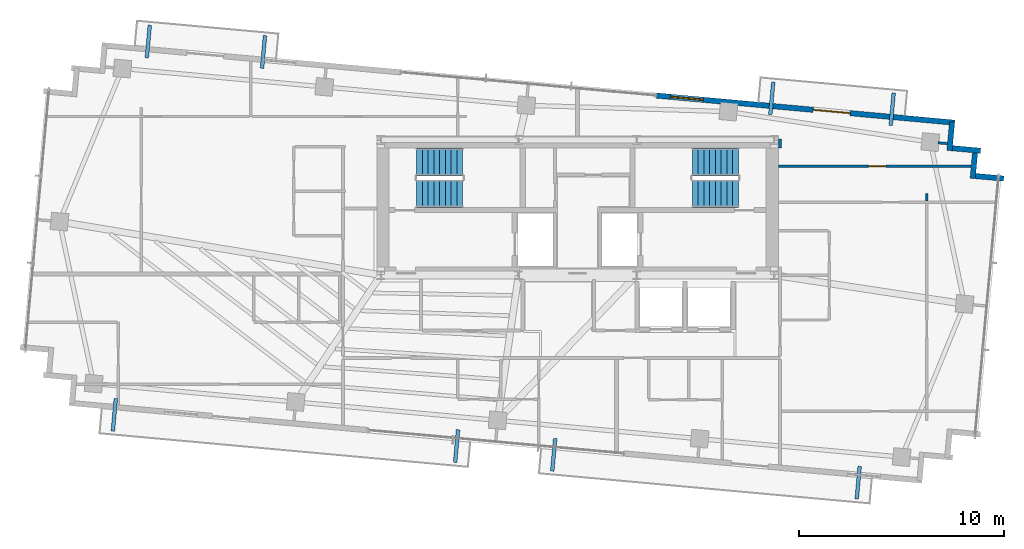
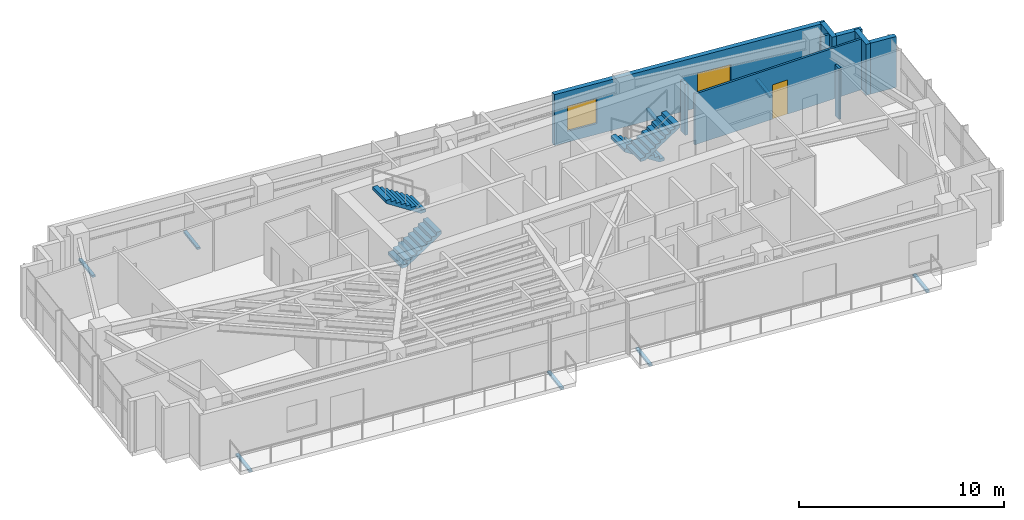
# One storey, part 19 of 22: 9 walls, 8 discrete accessories, 4 stair flights, 2 doors, 1 window, 3 openings, 2 elements without a shape of their own.
"""IFC4 building model written with IfcOpenShell, lengths in metres."""

from ifc_helpers import new_model, si_unit, direction, frame, frame_2d, origin, origin_2d, place, context, subcontext, project, spatial, polyline, rectangle, outline, extrude, source, transform, mapped, material, layer, layer_set, type_object, type_shapes, element, fill, aggregate, save


model = new_model("IFC4")

# Units and contexts
model_context = context("Model", 3, precision=1e-05, world=origin(), true_north=direction((0.0, 1.0)))
body_context = subcontext(model_context, "Body", "Model", "MODEL_VIEW")
ifc_project = project(units=[si_unit("LENGTHUNIT", "METRE"), si_unit("AREAUNIT", "SQUARE_METRE"), si_unit("VOLUMEUNIT", "CUBIC_METRE"), si_unit("PLANEANGLEUNIT", "RADIAN"), si_unit("MASSUNIT", "GRAM", prefix="KILO")], contexts=[model_context])

# Site, building, storey
site_placement = place(None, origin())
site = spatial("IfcSite", under=ifc_project, at=site_placement, CompositionType="ELEMENT")
building_placement = place(site_placement, origin())
building = spatial("IfcBuilding", under=site, at=building_placement, Name="Astriad Promenade Condominiums", CompositionType="ELEMENT")
storey_placement = place(building_placement, frame((0.0, 0.0, 226.5)))
storey = spatial("IfcBuildingStorey", under=building, at=storey_placement, Name="L65", CompositionType="ELEMENT", Elevation=226.5)

# Wall
ifc_material_1 = material(Name="Fire-Rated Gypsum Partition")
ifc_layer_1 = layer(ifc_material_1, 0.159912109375)
ifc_layer_set_1 = layer_set([ifc_layer_1], Name="Fire-Rated Gypsum Partition")
wall_type_1 = type_object("IfcWallType", Name="WALL-CORR-160", PredefinedType="PARTITIONING", material=ifc_layer_set_1)
wall_1_placement = place(storey_placement, frame((45.8798828125, 23.597900390625, 0.0), z_axis=(0.0, 0.0, 1.0), x_axis=(0.0, 1.0, 0.0)))
element("IfcWall", 1, at=wall_1_placement, inside=storey, type_object=wall_type_1, Name="PT-COR-E-L65-S3", PredefinedType="PARTITIONING", context=body_context, shape_type="SweptSolid", body=[
    extrude(rectangle(XDim=0.4521484375, YDim=0.159912109375, at=frame_2d((0.22607421875, 0.0))), origin(), (0.0, 0.0, 1.0), 3.0400390625),
])

# Wall, openings, door, window
ifc_material_2 = material(Name="Precast concrete C50/60", Category="concrete")
ifc_layer_2 = layer(ifc_material_2, 0.260009765625)
ifc_layer_set_2 = layer_set([ifc_layer_2], Name="Precast concrete C50/60")
wall_type_2 = type_object("IfcWallType", Name="WALL-EXT-TWR-260", PredefinedType="STANDARD", material=ifc_layer_set_2)
wall_2_placement = place(storey_placement, frame((39.839111328125, 26.16552734375, 0.0), z_axis=(0.0, 0.0, 1.0), x_axis=(0.995884447498, -0.090632043071, 0.0)))
wall_2 = element("IfcWall", 2, at=wall_2_placement, inside=storey, type_object=wall_type_2, Name="W-EXT-L65-N2", PredefinedType="STANDARD", context=body_context, shape_type="SweptSolid", body=[
    extrude(rectangle(XDim=14.6298828125, YDim=0.260009765625, at=frame_2d((7.31494140625, 0.0))), origin(), (0.0, 0.0, 1.0), 3.0400390625),
])
opening_1_placement = place(wall_2_placement, frame((7.699951171875, 0.0, 0.0)))
opening_1 = element("IfcOpeningElement", 3, at=opening_1_placement, cuts=wall_2, Name="Opening BD-1822-SLD", PredefinedType="OPENING", context=body_context, shape_type="SweptSolid", body=[
    extrude(rectangle(XDim=1.800048828125, YDim=2.06005859375, at=frame_2d((0.89990234375, 1.030029296875))), frame((0.0, 0.139892578125, 0.0), z_axis=(0.0, -1.0, 0.0), x_axis=(1.0, 0.0, 0.0)), (0.0, 0.0, 1.0), 0.280029296875),
])
opening_2_placement = place(wall_2_placement, frame((0.699951171875, 0.0, 0.64990234375)))
opening_2 = element("IfcOpeningElement", 4, at=opening_2_placement, cuts=wall_2, Name="Opening WIN-TWR-1620", PredefinedType="OPENING", context=body_context, shape_type="SweptSolid", body=[
    extrude(rectangle(XDim=1.60009765625, YDim=1.5, at=frame_2d((0.800048828125, 0.75))), frame((0.0, 0.139892578125, 0.0), z_axis=(0.0, -1.0, 0.0), x_axis=(1.0, 0.0, 0.0)), (0.0, 0.0, 1.0), 0.280029296875),
])
ifc_material_3 = material(Name="Thermally Broken Aluminium Sliding Balcony Door", Category="aluminium")
door_type_1 = type_object("IfcDoorType", Name="BD-1822-SLD", OperationType="NOTDEFINED", PredefinedType="DOOR", material=ifc_material_3)
shared_shape_1 = source(origin(), body_context, "Body", "SweptSolid", [
    extrude(rectangle(XDim=1.800048828125, YDim=2.06005859375, at=frame_2d((0.89990234375, 1.030029296875))), frame((0.0, 0.02490234375, 0.0), z_axis=(0.0, -1.0, 0.0), x_axis=(1.0, 0.0, 0.0)), (0.0, 0.0, 1.0), 0.050048828125),
])
type_shapes(door_type_1, [shared_shape_1])
door_1_placement = place(opening_1_placement, origin())
door_1 = element("IfcDoor", 5, at=door_1_placement, inside=storey, type_object=door_type_1, Name="BD-L65-NE", OperationType="SLIDING_TO_RIGHT", OverallHeight=2.06005859375, OverallWidth=1.800048828125, PredefinedType="DOOR", context=body_context, shape_type="MappedRepresentation", body=[
    mapped(shared_shape_1, transform((0.0, 0.0, 0.0), scale=1.0)),
])
fill(opening_1, door_1)
ifc_material_4 = material(Name="Dark Tinted Triple-Glazed Aluminium Window", Category="aluminium")
window_type = type_object("IfcWindowType", Name="WIN-TWR-1620", PartitioningType="SINGLE_PANEL", PredefinedType="WINDOW", material=ifc_material_4)
shared_shape_2 = source(origin(), body_context, "Body", "SweptSolid", [
    extrude(rectangle(XDim=1.60009765625, YDim=1.5, at=frame_2d((0.800048828125, 0.75))), frame((0.0, 0.030029296875, 0.0), z_axis=(0.0, -1.0, 0.0), x_axis=(1.0, 0.0, 0.0)), (0.0, 0.0, 1.0), 0.06005859375),
])
type_shapes(window_type, [shared_shape_2])
window_placement = place(opening_2_placement, origin())
window = element("IfcWindow", 6, at=window_placement, inside=storey, type_object=window_type, Name="WIN-L65-NE", OverallHeight=1.5, OverallWidth=1.60009765625, PartitioningType="SINGLE_PANEL", PredefinedType="WINDOW", context=body_context, shape_type="MappedRepresentation", body=[
    mapped(shared_shape_2, transform((0.0, 0.0, 0.0), scale=1.0)),
])
fill(opening_2, window)

# Walls
wall_3_placement = place(storey_placement, frame((54.28076171875, 24.866455078125, 0.0), z_axis=(0.0, 0.0, 1.0), x_axis=(-0.090661991521, -0.995881721538, 0.0)))
element("IfcWall", 7, at=wall_3_placement, inside=storey, type_object=wall_type_2, Name="W-SER-L65-09", PredefinedType="STANDARD", context=body_context, shape_type="SweptSolid", body=[
    extrude(rectangle(XDim=1.39501953125, YDim=0.260009765625, at=frame_2d((0.697509765625, 0.0))), origin(), (0.0, 0.0, 1.0), 3.0400390625),
])
for number, where, z_axis, x_axis, name in (
    (8, (54.280517578125, 23.59619140625, 0.0), (0.0, 0.0, 1.0), (0.995883159782, -0.090646191665, 0.0), "W-SER-L65-10"),
    (9, (55.412353515625, 23.50830078125, 0.0), (0.0, 0.0, 1.0), (-0.090646191665, -0.995883159782, 0.0), "W-SER-L65-11"),
    (10, (55.412109375, 22.238037109375, 0.0), (0.0, 0.0, 1.0), (0.995883159782, -0.090646191665, 0.0), "W-SER-L65-12"),
):
    element("IfcWall", number, at=place(storey_placement, frame(where, z_axis=z_axis, x_axis=x_axis)), inside=storey, type_object=wall_type_2, Name=name, PredefinedType="STANDARD", context=body_context, shape_type="SweptSolid", body=[
        extrude(rectangle(XDim=1.395263671875, YDim=0.260009765625, at=frame_2d((0.69775390625, 0.0))), origin(), (0.0, 0.0, 1.0), 3.0400390625),
    ])

# Wall, opening, door
ifc_material_5 = material(Name="Acoustic Metal-Stud Gypsum Partition")
ifc_layer_3 = layer(ifc_material_5, 0.1201171875)
ifc_layer_set_3 = layer_set([ifc_layer_3], Name="Acoustic Metal-Stud Gypsum Partition")
wall_type_3 = type_object("IfcWallType", Name="WALL-PART-120", PredefinedType="PARTITIONING", material=ifc_layer_set_3)
wall_4_placement = place(storey_placement, frame((45.802001953125, 22.717041015625, 0.0), z_axis=(0.0, 0.0, 1.0), x_axis=(1.0, 0.0, 0.0)))
wall_4 = element("IfcWall", 11, at=wall_4_placement, inside=storey, type_object=wall_type_3, Name="PT-L65-E1-WDN1", PredefinedType="PARTITIONING", context=body_context, shape_type="SweptSolid", body=[
    extrude(rectangle(XDim=9.40576171875, YDim=0.1201171875, at=frame_2d((4.702880859375, 0.0))), origin(), (0.0, 0.0, 1.0), 3.0400390625),
])
opening_3_placement = place(wall_4_placement, frame((4.39697265625, 0.0, 0.0)))
opening_3 = element("IfcOpeningElement", 12, at=opening_3_placement, cuts=wall_4, Name="Opening D-INT-085", PredefinedType="OPENING", context=body_context, shape_type="SweptSolid", body=[
    extrude(rectangle(XDim=0.85009765625, YDim=2.050048828125, at=frame_2d((0.425048828125, 1.02490234375))), frame((0.0, 0.070068359375, 0.0), z_axis=(0.0, -1.0, 0.0), x_axis=(1.0, 0.0, 0.0)), (0.0, 0.0, 1.0), 0.14013671875),
])
ifc_material_6 = material(Name="Painted Solid-Core Timber Room Door", Category="wood")
door_type_2 = type_object("IfcDoorType", Name="D-INT-085", OperationType="NOTDEFINED", PredefinedType="DOOR", material=ifc_material_6)
shared_shape_3 = source(origin(), body_context, "Body", "SweptSolid", [
    extrude(rectangle(XDim=0.85009765625, YDim=2.050048828125, at=frame_2d((0.425048828125, 1.02490234375))), frame((0.0, 0.02490234375, 0.0), z_axis=(0.0, -1.0, 0.0), x_axis=(1.0, 0.0, 0.0)), (0.0, 0.0, 1.0), 0.050048828125),
])
type_shapes(door_type_2, [shared_shape_3])
door_2_placement = place(opening_3_placement, origin())
door_2 = element("IfcDoor", 13, at=door_2_placement, inside=storey, type_object=door_type_2, Name="D-WDN1-L65-E1", OperationType="SINGLE_SWING_RIGHT", OverallHeight=2.050048828125, OverallWidth=0.85009765625, PredefinedType="DOOR", context=body_context, shape_type="MappedRepresentation", body=[
    mapped(shared_shape_3, transform((0.0, 0.0, 0.0), scale=1.0)),
])
fill(opening_3, door_2)

# Walls
wall_5_placement = place(storey_placement, frame((53.047119140625, 21.01611328125, 0.0), z_axis=(0.0, 0.0, 1.0), x_axis=(0.0, 1.0, 0.0)))
element("IfcWall", 14, at=wall_5_placement, inside=storey, type_object=wall_type_3, Name="PT-L65-E1-WDV4-S3", PredefinedType="PARTITIONING", context=body_context, shape_type="SweptSolid", body=[
    extrude(rectangle(XDim=0.3779296875, YDim=0.1201171875, at=frame_2d((0.18896484375, 0.0))), origin(), (0.0, 0.0, 1.0), 3.0400390625),
])
wall_6_placement = place(storey_placement, frame((53.5966796875, 23.859375, 0.0), z_axis=(0.0, 0.0, 1.0), x_axis=(0.995884462012, -0.090631883588, 0.0)))
element("IfcWall", 15, at=wall_6_placement, inside=storey, type_object=wall_type_3, Name="PT-PIL-L65-PC10-17", PredefinedType="PARTITIONING", context=body_context, shape_type="SweptSolid", body=[
    extrude(rectangle(XDim=0.4580078125, YDim=0.1201171875, at=frame_2d((0.22900390625, 0.0))), origin(), (0.0, 0.0, 1.0), 3.0400390625),
])

# Stair, stair flights
ifc_material_7 = material(Name="Concrete C50/60", Category="concrete")
stair_type = type_object("IfcStairType", Name="STR-CORE-1350", PredefinedType="HALF_TURN_STAIR", material=ifc_material_7)
stair_1_placement = place(storey_placement, origin())
stair_1 = element("IfcStair", 16, at=stair_1_placement, inside=storey, type_object=stair_type, Name="L65 Enclosed Core Exit Stair ST-1", PredefinedType="HALF_TURN_STAIR")
stair_flight_type = type_object("IfcStairFlightType", Name="SFL-CORE-1350", PredefinedType="STRAIGHT", material=ifc_material_7)
shared_shape_4 = source(origin(), body_context, "Body", "SweptSolid", [
    extrude(outline(polyline([(0.0, 0.0), (0.0, 0.183349609375), (0.280029296875, 0.183349609375), (0.280029296875, 0.36669921875), (0.56005859375, 0.36669921875), (0.56005859375, 0.550048828125), (0.840087890625, 0.550048828125), (0.840087890625, 0.7333984375), (1.1201171875, 0.7333984375), (1.1201171875, 0.916748046875), (1.39990234375, 0.916748046875), (1.39990234375, 1.10009765625), (1.679931640625, 1.10009765625), (1.679931640625, 1.283447265625), (1.9599609375, 1.283447265625), (1.9599609375, 1.466552734375), (2.239990234375, 1.466552734375), (2.239990234375, 1.64990234375), (2.239990234375, 1.28759765625), (0.273681640625, 0.0), (0.0, 0.0)])), frame((0.0, 0.675048828125, 0.0), z_axis=(0.0, -1.0, 0.0), x_axis=(1.0, 0.0, 0.0)), (0.0, 0.0, 1.0), 1.35009765625),
])
type_shapes(stair_flight_type, [shared_shape_4])
stair_flight_1_placement = place(storey_placement, frame((28.14990234375, 21.375, 0.0), z_axis=(0.0, 0.0, 1.0), x_axis=(1.0, 0.0, 0.0)))
stair_flight_1 = element("IfcStairFlight", 17, at=stair_flight_1_placement, type_object=stair_flight_type, Name="ST-1 flight 1", NumberOfRisers=9, NumberOfTreads=8, PredefinedType="STRAIGHT", RiserHeight=0.183333333, TreadLength=0.28, context=body_context, shape_type="MappedRepresentation", body=[
    mapped(shared_shape_4, transform((0.0, 0.0, 0.0), scale=1.0)),
])
stair_flight_2_placement = place(storey_placement, frame((30.389892578125, 22.925048828125, 1.64990234375), z_axis=(0.0, 0.0, 1.0), x_axis=(-1.0, 0.0, 0.0)))
stair_flight_2 = element("IfcStairFlight", 18, at=stair_flight_2_placement, type_object=stair_flight_type, Name="ST-1 flight 2", NumberOfRisers=9, NumberOfTreads=8, PredefinedType="STRAIGHT", RiserHeight=0.183333333, TreadLength=0.28, context=body_context, shape_type="MappedRepresentation", body=[
    mapped(shared_shape_4, transform((0.0, 0.0, 0.0), scale=1.0)),
])
aggregate(stair_1, [stair_flight_1, stair_flight_2])

stair_2_placement = place(storey_placement, origin())
stair_2 = element("IfcStair", 19, at=stair_2_placement, inside=storey, type_object=stair_type, Name="L65 Enclosed Core Exit Stair ST-2", PredefinedType="HALF_TURN_STAIR")
stair_flight_3_placement = place(storey_placement, frame((43.85009765625, 22.925048828125, 0.0), z_axis=(0.0, 0.0, 1.0), x_axis=(-1.0, 0.0, 0.0)))
stair_flight_3 = element("IfcStairFlight", 20, at=stair_flight_3_placement, type_object=stair_flight_type, Name="ST-2 flight 1", NumberOfRisers=9, NumberOfTreads=8, PredefinedType="STRAIGHT", RiserHeight=0.183333333, TreadLength=0.28, context=body_context, shape_type="MappedRepresentation", body=[
    mapped(shared_shape_4, transform((0.0, 0.0, 0.0), scale=1.0)),
])
stair_flight_4_placement = place(storey_placement, frame((41.610107421875, 21.375, 1.64990234375), z_axis=(0.0, 0.0, 1.0), x_axis=(1.0, 0.0, 0.0)))
stair_flight_4 = element("IfcStairFlight", 21, at=stair_flight_4_placement, type_object=stair_flight_type, Name="ST-2 flight 2", NumberOfRisers=9, NumberOfTreads=8, PredefinedType="STRAIGHT", RiserHeight=0.183333333, TreadLength=0.28, context=body_context, shape_type="MappedRepresentation", body=[
    mapped(shared_shape_4, transform((0.0, 0.0, 0.0), scale=1.0)),
])
aggregate(stair_2, [stair_flight_3, stair_flight_4])

# Discrete accessories
ifc_material_8 = material(Name="Steel ASTM A572 Grade 50", Category="steel")
discrete_accessory_type = type_object("IfcDiscreteAccessoryType", Name="STEEL BALCONY OUTRIGGER BRACKET", PredefinedType="BRACKET", material=ifc_material_8)
shared_shape_5 = source(origin(), body_context, "Body", "SweptSolid", [
    extrude(rectangle(XDim=1.60009765625, YDim=0.179931640625, at=origin_2d()), origin(), (0.0, 0.0, 1.0), 0.1220703125),
])
type_shapes(discrete_accessory_type, [shared_shape_5])
for number, where, z_axis, x_axis, name in (
    (22, (13.390380859375, 10.57861328125, -0.340087890625), (0.0, 0.0, 1.0), (-0.090632580198, -0.995884398616, 0.0), "Balcony Outrigger Bracket BAL-L65-SW-A"),
    (23, (30.096435546875, 9.05810546875, -0.340087890625), (0.0, 0.0, 1.0), (-0.090632580198, -0.995884398616, 0.0), "Balcony Outrigger Bracket BAL-L65-SW-B"),
    (24, (34.8359375, 8.626953125, -0.340087890625), (0.0, 0.0, 1.0), (-0.090632580198, -0.995884398616, 0.0), "Balcony Outrigger Bracket BAL-L65-SE-A"),
    (25, (49.698486328125, 7.2744140625, -0.340087890625), (0.0, 0.0, 1.0), (-0.090632580198, -0.995884398616, 0.0), "Balcony Outrigger Bracket BAL-L65-SE-B"),
    (26, (15.049072265625, 28.80322265625, -0.340087890625), (0.0, 0.0, 1.0), (0.090632580198, 0.995884398616, 0.0), "Balcony Outrigger Bracket BAL-L65-NW-A"),
    (27, (20.6728515625, 28.29150390625, -0.340087890625), (0.0, 0.0, 1.0), (0.090632580198, 0.995884398616, 0.0), "Balcony Outrigger Bracket BAL-L65-NW-B"),
    (28, (45.480224609375, 26.03369140625, -0.340087890625), (0.0, 0.0, 1.0), (0.090632580198, 0.995884398616, 0.0), "Balcony Outrigger Bracket BAL-L65-NE-A"),
    (29, (51.35693359375, 25.4990234375, -0.340087890625), (0.0, 0.0, 1.0), (0.090632580198, 0.995884398616, 0.0), "Balcony Outrigger Bracket BAL-L65-NE-B"),
):
    element("IfcDiscreteAccessory", number, at=place(storey_placement, frame(where, z_axis=z_axis, x_axis=x_axis)), inside=storey, type_object=discrete_accessory_type, Name=name, PredefinedType="BRACKET", context=body_context, shape_type="MappedRepresentation", body=[
        mapped(shared_shape_5, transform((0.0, 0.0, 0.0), scale=1.0)),
    ])

save(model, "model.ifc")
